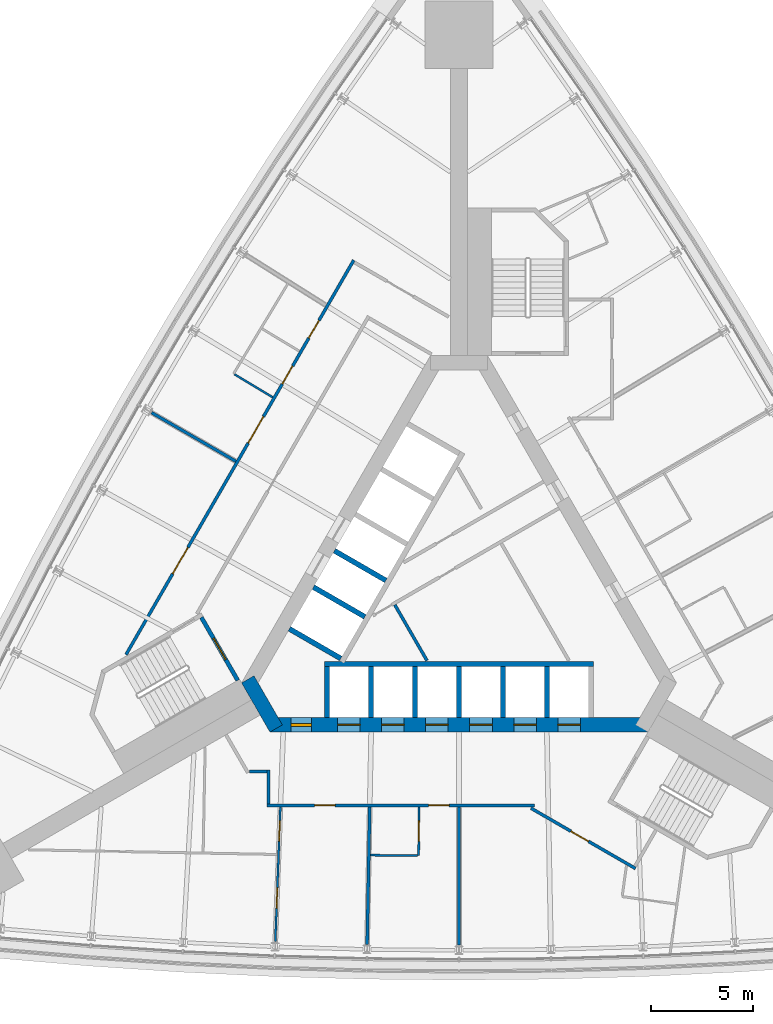
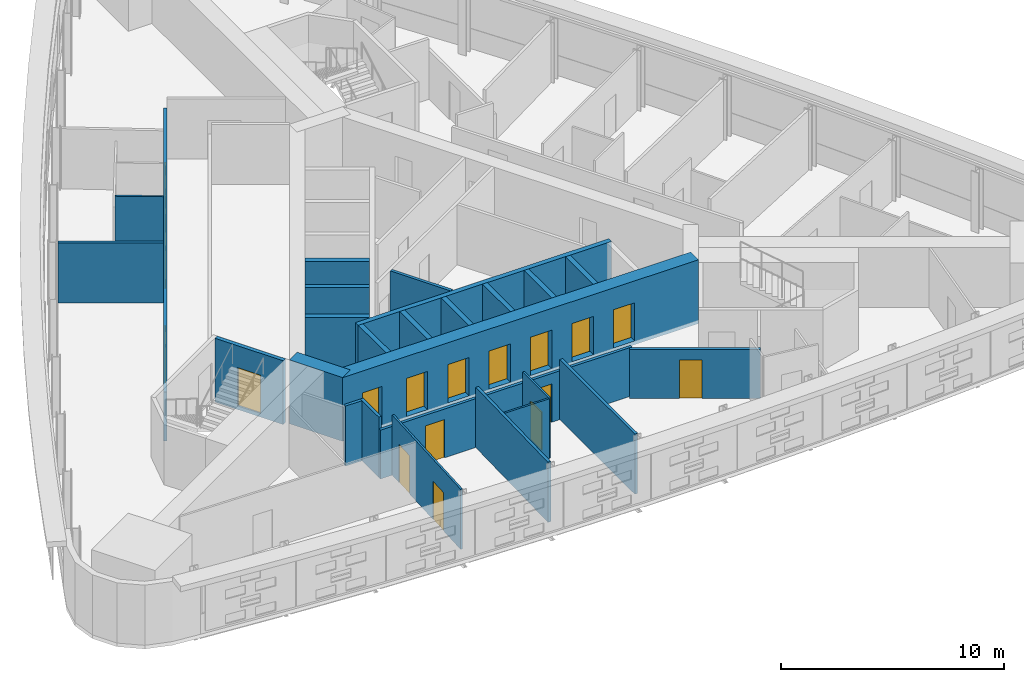
# One storey, part 10 of 15: 26 walls, 18 doors, 18 openings.
"""IFC4 building model written with IfcOpenShell, lengths in metres."""

from ifc_helpers import new_model, si_unit, direction, frame, frame_2d, origin, place, context, subcontext, project, spatial, rectangle, extrude, material, layer, layer_set, type_object, element, fill, save


model = new_model("IFC4")

# Units and contexts
model_context = context("Model", 3, precision=1e-05, world=origin(), true_north=direction((0.0, 1.0)))
body_context = subcontext(model_context, "Body", "Model", "MODEL_VIEW")
ifc_project = project(units=[si_unit("LENGTHUNIT", "METRE"), si_unit("AREAUNIT", "SQUARE_METRE"), si_unit("VOLUMEUNIT", "CUBIC_METRE"), si_unit("PLANEANGLEUNIT", "RADIAN"), si_unit("MASSUNIT", "GRAM", prefix="KILO")], contexts=[model_context])

# Site, building, storey
site_placement = place(None, origin())
site = spatial("IfcSite", under=ifc_project, at=site_placement, CompositionType="ELEMENT")
building_placement = place(site_placement, origin())
building = spatial("IfcBuilding", under=site, at=building_placement, Name="Noor Cloister Tower", CompositionType="ELEMENT")
storey_placement = place(building_placement, frame((0.0, 0.0, 49.199951171875)))
storey = spatial("IfcBuildingStorey", under=building, at=storey_placement, Name="L12", CompositionType="ELEMENT", Elevation=49.199951171875)

# Wall
ifc_material_1 = material(Name="Concrete C30/37", Category="concrete")
ifc_layer_1 = layer(ifc_material_1, 0.14990234375)
ifc_layer_set_1 = layer_set([ifc_layer_1], Name="Core partition 150 C30/37")
wall_type_1 = type_object("IfcWallType", Name="Core partition 150 C30/37", PredefinedType="PARTITIONING", material=ifc_layer_set_1)
wall_1_placement = place(storey_placement, frame((-1.561279296875, -3.439208984375, 0.0), z_axis=(0.0, 0.0, 1.0), x_axis=(-0.499989077369, 0.866031709877, 0.0)))
element("IfcWall", 1, at=wall_1_placement, inside=storey, type_object=wall_type_1, Name="Core room partition L12 3", PredefinedType="PARTITIONING", context=body_context, shape_type="SweptSolid", body=[
    extrude(rectangle(XDim=3.14404296875, YDim=0.14990234375, at=frame_2d((1.572021484375, 0.0))), origin(), (0.0, 0.0, 1.0), 3.300048828125),
])

# Wall, openings, doors
ifc_material_2 = material(Name="Concrete C80/95", Category="concrete")
ifc_layer_2 = layer(ifc_material_2, 0.699951171875)
ifc_layer_set_2 = layer_set([ifc_layer_2], Name="Core wall 700 C80/95")
wall_type_2 = type_object("IfcWallType", Name="Core wall 700 C80/95", PredefinedType="SHEAR", material=ifc_layer_set_2)
wall_2_placement = place(storey_placement, frame((-9.228759765625, -6.578125, -0.199951171875), z_axis=(0.0, 0.0, 1.0), x_axis=(1.0, 0.0, 0.0)))
wall_2 = element("IfcWall", 2, at=wall_2_placement, inside=storey, type_object=wall_type_2, Name="Core wall L12 1", PredefinedType="SHEAR", context=body_context, shape_type="SweptSolid", body=[
    extrude(rectangle(XDim=18.45751953125, YDim=0.699951171875, at=frame_2d((9.228759765625, 0.0))), origin(), (0.0, 0.0, 1.0), 3.5),
])
opening_1_placement = place(wall_2_placement, frame((3.3037109375, 0.0, 0.199951171875)))
opening_1 = element("IfcOpeningElement", 3, at=opening_1_placement, cuts=wall_2, Name="Opening L12-LR1", PredefinedType="OPENING", context=body_context, shape_type="SweptSolid", body=[
    extrude(rectangle(XDim=1.10009765625, YDim=2.10009765625, at=frame_2d((0.550048828125, 1.050048828125))), frame((0.0, 0.35986328125, 0.0), z_axis=(0.0, -1.0, 0.0), x_axis=(1.0, 0.0, 0.0)), (0.0, 0.0, 1.0), 0.719970703125),
])
opening_2_placement = place(wall_2_placement, frame((5.45361328125, 0.0, 0.199951171875)))
opening_2 = element("IfcOpeningElement", 4, at=opening_2_placement, cuts=wall_2, Name="Opening L12-LR2", PredefinedType="OPENING", context=body_context, shape_type="SweptSolid", body=[
    extrude(rectangle(XDim=1.10009765625, YDim=2.10009765625, at=frame_2d((0.550048828125, 1.050048828125))), frame((0.0, 0.35986328125, 0.0), z_axis=(0.0, -1.0, 0.0), x_axis=(1.0, 0.0, 0.0)), (0.0, 0.0, 1.0), 0.719970703125),
])
opening_3_placement = place(wall_2_placement, frame((7.603759765625, 0.0, 0.199951171875)))
opening_3 = element("IfcOpeningElement", 5, at=opening_3_placement, cuts=wall_2, Name="Opening L12-LR3", PredefinedType="OPENING", context=body_context, shape_type="SweptSolid", body=[
    extrude(rectangle(XDim=1.10009765625, YDim=2.10009765625, at=frame_2d((0.550048828125, 1.050048828125))), frame((0.0, 0.35986328125, 0.0), z_axis=(0.0, -1.0, 0.0), x_axis=(1.0, 0.0, 0.0)), (0.0, 0.0, 1.0), 0.719970703125),
])
opening_4_placement = place(wall_2_placement, frame((9.753662109375, 0.0, 0.199951171875)))
opening_4 = element("IfcOpeningElement", 6, at=opening_4_placement, cuts=wall_2, Name="Opening L12-LR4", PredefinedType="OPENING", context=body_context, shape_type="SweptSolid", body=[
    extrude(rectangle(XDim=1.10009765625, YDim=2.10009765625, at=frame_2d((0.550048828125, 1.050048828125))), frame((0.0, 0.35986328125, 0.0), z_axis=(0.0, -1.0, 0.0), x_axis=(1.0, 0.0, 0.0)), (0.0, 0.0, 1.0), 0.719970703125),
])
opening_5_placement = place(wall_2_placement, frame((11.90380859375, 0.0, 0.199951171875)))
opening_5 = element("IfcOpeningElement", 7, at=opening_5_placement, cuts=wall_2, Name="Opening L12-LR5", PredefinedType="OPENING", context=body_context, shape_type="SweptSolid", body=[
    extrude(rectangle(XDim=1.10009765625, YDim=2.10009765625, at=frame_2d((0.550048828125, 1.050048828125))), frame((0.0, 0.35986328125, 0.0), z_axis=(0.0, -1.0, 0.0), x_axis=(1.0, 0.0, 0.0)), (0.0, 0.0, 1.0), 0.719970703125),
])
opening_6_placement = place(wall_2_placement, frame((14.0537109375, 0.0, 0.199951171875)))
opening_6 = element("IfcOpeningElement", 8, at=opening_6_placement, cuts=wall_2, Name="Opening L12-LR6", PredefinedType="OPENING", context=body_context, shape_type="SweptSolid", body=[
    extrude(rectangle(XDim=1.10009765625, YDim=2.10009765625, at=frame_2d((0.550048828125, 1.050048828125))), frame((0.0, 0.35986328125, 0.0), z_axis=(0.0, -1.0, 0.0), x_axis=(1.0, 0.0, 0.0)), (0.0, 0.0, 1.0), 0.719970703125),
])
opening_7_placement = place(wall_2_placement, frame((1.02880859375, 0.0, 0.199951171875)))
opening_7 = element("IfcOpeningElement", 9, at=opening_7_placement, cuts=wall_2, Name="Opening L12-907", PredefinedType="OPENING", context=body_context, shape_type="SweptSolid", body=[
    extrude(rectangle(XDim=1.0, YDim=2.10009765625, at=frame_2d((0.5, 1.050048828125))), frame((0.0, 0.35986328125, 0.0), z_axis=(0.0, -1.0, 0.0), x_axis=(1.0, 0.0, 0.0)), (0.0, 0.0, 1.0), 0.719970703125),
])
ifc_material_3 = material(Name="Steel", Category="steel")
door_type_1 = type_object("IfcDoorType", Name="Core door 1000 x 2100 FD60", OperationType="SINGLE_SWING_LEFT", PredefinedType="DOOR", material=ifc_material_3)
door_1_placement = place(opening_7_placement, origin())
door_1 = element("IfcDoor", 10, at=door_1_placement, inside=storey, type_object=door_type_1, Name="Core door 7 L12", OperationType="SINGLE_SWING_LEFT", OverallHeight=2.10009765625, OverallWidth=1.0, PredefinedType="DOOR", context=body_context, shape_type="SweptSolid", body=[
    extrude(rectangle(XDim=1.0, YDim=2.10009765625, at=frame_2d((0.5, 1.050048828125))), frame((0.0, 0.074951171875, 0.0), z_axis=(0.0, -1.0, 0.0), x_axis=(1.0, 0.0, 0.0)), (0.0, 0.0, 1.0), 0.14990234375),
])
fill(opening_7, door_1)
ifc_material_4 = material(Name="Stainless steel", Category="steel")
door_type_2 = type_object("IfcDoorType", Name="Lift landing door 1100 x 2100", OperationType="DOUBLE_DOOR_SLIDING", PredefinedType="DOOR", material=ifc_material_4)
door_2_placement = place(opening_1_placement, origin())
door_2 = element("IfcDoor", 11, at=door_2_placement, inside=storey, type_object=door_type_2, Name="Landing door LR1 L12", OperationType="DOUBLE_DOOR_SLIDING", OverallHeight=2.10009765625, OverallWidth=1.10009765625, PredefinedType="DOOR", context=body_context, shape_type="SweptSolid", body=[
    extrude(rectangle(XDim=1.10009765625, YDim=2.10009765625, at=frame_2d((0.550048828125, 1.050048828125))), frame((0.0, 0.02490234375, 0.0), z_axis=(0.0, -1.0, 0.0), x_axis=(1.0, 0.0, 0.0)), (0.0, 0.0, 1.0), 0.050048828125),
])
fill(opening_1, door_2)
door_3_placement = place(opening_2_placement, origin())
door_3 = element("IfcDoor", 12, at=door_3_placement, inside=storey, type_object=door_type_2, Name="Landing door LR2 L12", OperationType="DOUBLE_DOOR_SLIDING", OverallHeight=2.10009765625, OverallWidth=1.10009765625, PredefinedType="DOOR", context=body_context, shape_type="SweptSolid", body=[
    extrude(rectangle(XDim=1.10009765625, YDim=2.10009765625, at=frame_2d((0.550048828125, 1.050048828125))), frame((0.0, 0.02490234375, 0.0), z_axis=(0.0, -1.0, 0.0), x_axis=(1.0, 0.0, 0.0)), (0.0, 0.0, 1.0), 0.050048828125),
])
fill(opening_2, door_3)
door_4_placement = place(opening_3_placement, origin())
door_4 = element("IfcDoor", 13, at=door_4_placement, inside=storey, type_object=door_type_2, Name="Landing door LR3 L12", OperationType="DOUBLE_DOOR_SLIDING", OverallHeight=2.10009765625, OverallWidth=1.10009765625, PredefinedType="DOOR", context=body_context, shape_type="SweptSolid", body=[
    extrude(rectangle(XDim=1.10009765625, YDim=2.10009765625, at=frame_2d((0.550048828125, 1.050048828125))), frame((0.0, 0.02490234375, 0.0), z_axis=(0.0, -1.0, 0.0), x_axis=(1.0, 0.0, 0.0)), (0.0, 0.0, 1.0), 0.050048828125),
])
fill(opening_3, door_4)
door_5_placement = place(opening_4_placement, origin())
door_5 = element("IfcDoor", 14, at=door_5_placement, inside=storey, type_object=door_type_2, Name="Landing door LR4 L12", OperationType="DOUBLE_DOOR_SLIDING", OverallHeight=2.10009765625, OverallWidth=1.10009765625, PredefinedType="DOOR", context=body_context, shape_type="SweptSolid", body=[
    extrude(rectangle(XDim=1.10009765625, YDim=2.10009765625, at=frame_2d((0.550048828125, 1.050048828125))), frame((0.0, 0.02490234375, 0.0), z_axis=(0.0, -1.0, 0.0), x_axis=(1.0, 0.0, 0.0)), (0.0, 0.0, 1.0), 0.050048828125),
])
fill(opening_4, door_5)
door_6_placement = place(opening_5_placement, origin())
door_6 = element("IfcDoor", 15, at=door_6_placement, inside=storey, type_object=door_type_2, Name="Landing door LR5 L12", OperationType="DOUBLE_DOOR_SLIDING", OverallHeight=2.10009765625, OverallWidth=1.10009765625, PredefinedType="DOOR", context=body_context, shape_type="SweptSolid", body=[
    extrude(rectangle(XDim=1.10009765625, YDim=2.10009765625, at=frame_2d((0.550048828125, 1.050048828125))), frame((0.0, 0.02490234375, 0.0), z_axis=(0.0, -1.0, 0.0), x_axis=(1.0, 0.0, 0.0)), (0.0, 0.0, 1.0), 0.050048828125),
])
fill(opening_5, door_6)
door_7_placement = place(opening_6_placement, origin())
door_7 = element("IfcDoor", 16, at=door_7_placement, inside=storey, type_object=door_type_2, Name="Landing door LR6 L12", OperationType="DOUBLE_DOOR_SLIDING", OverallHeight=2.10009765625, OverallWidth=1.10009765625, PredefinedType="DOOR", context=body_context, shape_type="SweptSolid", body=[
    extrude(rectangle(XDim=1.10009765625, YDim=2.10009765625, at=frame_2d((0.550048828125, 1.050048828125))), frame((0.0, 0.02490234375, 0.0), z_axis=(0.0, -1.0, 0.0), x_axis=(1.0, 0.0, 0.0)), (0.0, 0.0, 1.0), 0.050048828125),
])
fill(opening_6, door_7)

# Wall
wall_3_placement = place(storey_placement, frame((-10.311279296875, -4.353271484375, -0.199951171875), z_axis=(0.0, 0.0, 1.0), x_axis=(0.500042739161, -0.866000726912, 0.0)))
element("IfcWall", 17, at=wall_3_placement, inside=storey, type_object=wall_type_2, Name="Core wall L12 6", PredefinedType="SHEAR", context=body_context, shape_type="SweptSolid", body=[
    extrude(rectangle(XDim=2.771240234375, YDim=0.699951171875, at=frame_2d((1.3857421875, 0.0))), origin(), (0.0, 0.0, 1.0), 3.5),
])

# Wall, openings, doors
ifc_material_5 = material(Name="Gypsum board partition on steel studs, 150 mm", Category="steel")
ifc_layer_3 = layer(ifc_material_5, 0.14990234375)
ifc_layer_set_3 = layer_set([ifc_layer_3], Name="Flat wall 150")
wall_type_3 = type_object("IfcWallType", Name="Flat wall 150", PredefinedType="PARTITIONING", material=ifc_layer_set_3)
wall_4_placement = place(storey_placement, frame((-16.255615234375, -3.149169921875, 0.0), z_axis=(0.0, 0.0, 1.0), x_axis=(0.499999683919, 0.866025586274, 0.0)))
wall_4 = element("IfcWall", 18, at=wall_4_placement, inside=storey, type_object=wall_type_3, Name="Flat wall 150 L12 001", PredefinedType="PARTITIONING", context=body_context, shape_type="SweptSolid", body=[
    extrude(rectangle(XDim=22.23388671875, YDim=0.14990234375, at=frame_2d((11.116943359375, 0.0))), origin(), (0.0, 0.0, 1.0), 2.677978515625),
])
opening_8_placement = place(wall_4_placement, frame((17.84228515625, 0.0, 0.0)))
opening_8 = element("IfcOpeningElement", 19, at=opening_8_placement, cuts=wall_4, Name="Opening L12-001", PredefinedType="OPENING", context=body_context, shape_type="SweptSolid", body=[
    extrude(rectangle(XDim=1.0, YDim=2.10009765625, at=frame_2d((0.5, 1.050048828125))), frame((0.0, 0.0849609375, 0.0), z_axis=(0.0, -1.0, 0.0), x_axis=(1.0, 0.0, 0.0)), (0.0, 0.0, 1.0), 0.169921875),
])
opening_9_placement = place(wall_4_placement, frame((15.260009765625, 0.0, 0.0)))
opening_9 = element("IfcOpeningElement", 20, at=opening_9_placement, cuts=wall_4, Name="Opening L12-002", PredefinedType="OPENING", context=body_context, shape_type="SweptSolid", body=[
    extrude(rectangle(XDim=1.0, YDim=2.10009765625, at=frame_2d((0.5, 1.050048828125))), frame((0.0, 0.0849609375, 0.0), z_axis=(0.0, -1.0, 0.0), x_axis=(1.0, 0.0, 0.0)), (0.0, 0.0, 1.0), 0.169921875),
])
opening_10_placement = place(wall_4_placement, frame((11.919921875, 0.0, 0.0)))
opening_10 = element("IfcOpeningElement", 21, at=opening_10_placement, cuts=wall_4, Name="Opening L12-003", PredefinedType="OPENING", context=body_context, shape_type="SweptSolid", body=[
    extrude(rectangle(XDim=1.5, YDim=2.10009765625, at=frame_2d((0.75, 1.050048828125))), frame((0.0, 0.0849609375, 0.0), z_axis=(0.0, -1.0, 0.0), x_axis=(1.0, 0.0, 0.0)), (0.0, 0.0, 1.0), 0.169921875),
])
opening_11_placement = place(wall_4_placement, frame((4.546875, 0.0, 0.0)))
opening_11 = element("IfcOpeningElement", 22, at=opening_11_placement, cuts=wall_4, Name="Opening L12-004", PredefinedType="OPENING", context=body_context, shape_type="SweptSolid", body=[
    extrude(rectangle(XDim=1.5, YDim=2.10009765625, at=frame_2d((0.75, 1.050048828125))), frame((0.0, 0.0849609375, 0.0), z_axis=(0.0, -1.0, 0.0), x_axis=(1.0, 0.0, 0.0)), (0.0, 0.0, 1.0), 0.169921875),
])
ifc_material_6 = material(Name="Timber door leaf with steel frame", Category="steel")
door_type_3 = type_object("IfcDoorType", Name="Accessible WC door 1000", OperationType="NOTDEFINED", PredefinedType="DOOR", material=ifc_material_6)
door_8_placement = place(opening_8_placement, origin())
door_8 = element("IfcDoor", 23, at=door_8_placement, inside=storey, type_object=door_type_3, Name="Accessible WC door 1000 L12-001", OperationType="SINGLE_SWING_RIGHT", OverallHeight=2.10009765625, OverallWidth=1.0, PredefinedType="DOOR", context=body_context, shape_type="SweptSolid", body=[
    extrude(rectangle(XDim=1.0, YDim=2.10009765625, at=frame_2d((0.5, 1.050048828125))), frame((0.0, 0.02490234375, 0.0), z_axis=(0.0, -1.0, 0.0), x_axis=(1.0, 0.0, 0.0)), (0.0, 0.0, 1.0), 0.050048828125),
])
fill(opening_8, door_8)
ifc_material_7 = material(Name="Timber door leaf with steel frame", Category="steel")
door_type_4 = type_object("IfcDoorType", Name="Double door 1500 FD60", OperationType="NOTDEFINED", PredefinedType="DOOR", material=ifc_material_7)
door_9_placement = place(opening_10_placement, origin())
door_9 = element("IfcDoor", 24, at=door_9_placement, inside=storey, type_object=door_type_4, Name="Double door 1500 L12-003", OperationType="DOUBLE_DOOR_SINGLE_SWING", OverallHeight=2.10009765625, OverallWidth=1.5, PredefinedType="DOOR", context=body_context, shape_type="SweptSolid", body=[
    extrude(rectangle(XDim=1.5, YDim=2.10009765625, at=frame_2d((0.75, 1.050048828125))), frame((0.0, 0.02490234375, 0.0), z_axis=(0.0, -1.0, 0.0), x_axis=(1.0, 0.0, 0.0)), (0.0, 0.0, 1.0), 0.050048828125),
])
fill(opening_10, door_9)
door_10_placement = place(opening_11_placement, origin())
door_10 = element("IfcDoor", 25, at=door_10_placement, inside=storey, type_object=door_type_4, Name="Double door 1500 L12-004", OperationType="DOUBLE_DOOR_SINGLE_SWING", OverallHeight=2.10009765625, OverallWidth=1.5, PredefinedType="DOOR", context=body_context, shape_type="SweptSolid", body=[
    extrude(rectangle(XDim=1.5, YDim=2.10009765625, at=frame_2d((0.75, 1.050048828125))), frame((0.0, 0.02490234375, 0.0), z_axis=(0.0, -1.0, 0.0), x_axis=(1.0, 0.0, 0.0)), (0.0, 0.0, 1.0), 0.050048828125),
])
fill(opening_11, door_10)
ifc_material_8 = material(Name="Timber door leaf with steel frame", Category="steel")
door_type_5 = type_object("IfcDoorType", Name="Interior door 1000 FD60", OperationType="NOTDEFINED", PredefinedType="DOOR", material=ifc_material_8)
door_11_placement = place(opening_9_placement, origin())
door_11 = element("IfcDoor", 26, at=door_11_placement, inside=storey, type_object=door_type_5, Name="Interior door 1000 L12-002", OperationType="SINGLE_SWING_RIGHT", OverallHeight=2.10009765625, OverallWidth=1.0, PredefinedType="DOOR", context=body_context, shape_type="SweptSolid", body=[
    extrude(rectangle(XDim=1.0, YDim=2.10009765625, at=frame_2d((0.5, 1.050048828125))), frame((0.0, 0.02490234375, 0.0), z_axis=(0.0, -1.0, 0.0), x_axis=(1.0, 0.0, 0.0)), (0.0, 0.0, 1.0), 0.050048828125),
])
fill(opening_9, door_11)

wall_5_placement = place(storey_placement, frame((3.68896484375, -10.503173828125, 0.0), z_axis=(0.0, 0.0, 1.0), x_axis=(-1.0, 0.0, 0.0)))
wall_5 = element("IfcWall", 27, at=wall_5_placement, inside=storey, type_object=wall_type_3, Name="Flat wall 150 L12 004", PredefinedType="PARTITIONING", context=body_context, shape_type="SweptSolid", body=[
    extrude(rectangle(XDim=13.067626953125, YDim=0.14990234375, at=frame_2d((6.53369140625, 0.0))), origin(), (0.0, 0.0, 1.0), 2.677978515625),
])
opening_12_placement = place(wall_5_placement, frame((9.739501953125, 0.0, 0.0)))
opening_12 = element("IfcOpeningElement", 28, at=opening_12_placement, cuts=wall_5, Name="Opening L12-008", PredefinedType="OPENING", context=body_context, shape_type="SweptSolid", body=[
    extrude(rectangle(XDim=1.0, YDim=2.10009765625, at=frame_2d((0.5, 1.050048828125))), frame((0.0, 0.0849609375, 0.0), z_axis=(0.0, -1.0, 0.0), x_axis=(1.0, 0.0, 0.0)), (0.0, 0.0, 1.0), 0.169921875),
])
opening_13_placement = place(wall_5_placement, frame((4.174560546875, 0.0, 0.0)))
opening_13 = element("IfcOpeningElement", 29, at=opening_13_placement, cuts=wall_5, Name="Opening L12-009", PredefinedType="OPENING", context=body_context, shape_type="SweptSolid", body=[
    extrude(rectangle(XDim=1.0, YDim=2.10009765625, at=frame_2d((0.5, 1.050048828125))), frame((0.0, 0.0849609375, 0.0), z_axis=(0.0, -1.0, 0.0), x_axis=(1.0, 0.0, 0.0)), (0.0, 0.0, 1.0), 0.169921875),
])
ifc_material_9 = material(Name="Timber door leaf with steel frame", Category="steel")
door_type_6 = type_object("IfcDoorType", Name="Assisted living door 1000", OperationType="NOTDEFINED", PredefinedType="DOOR", material=ifc_material_9)
door_12_placement = place(opening_13_placement, origin())
door_12 = element("IfcDoor", 30, at=door_12_placement, inside=storey, type_object=door_type_6, Name="Assisted living door 1000 L12-009", OperationType="SINGLE_SWING_LEFT", OverallHeight=2.10009765625, OverallWidth=1.0, PredefinedType="DOOR", context=body_context, shape_type="SweptSolid", body=[
    extrude(rectangle(XDim=1.0, YDim=2.10009765625, at=frame_2d((0.5, 1.050048828125))), frame((0.0, 0.02490234375, 0.0), z_axis=(0.0, -1.0, 0.0), x_axis=(1.0, 0.0, 0.0)), (0.0, 0.0, 1.0), 0.050048828125),
])
fill(opening_13, door_12)
ifc_material_10 = material(Name="Timber door leaf with steel frame", Category="steel")
door_type_7 = type_object("IfcDoorType", Name="Flat entrance door 1000 FD60S", OperationType="NOTDEFINED", PredefinedType="DOOR", material=ifc_material_10)
door_13_placement = place(opening_12_placement, origin())
door_13 = element("IfcDoor", 31, at=door_13_placement, inside=storey, type_object=door_type_7, Name="Flat entrance door 1000 L12-008", OperationType="SINGLE_SWING_RIGHT", OverallHeight=2.10009765625, OverallWidth=1.0, PredefinedType="DOOR", context=body_context, shape_type="SweptSolid", body=[
    extrude(rectangle(XDim=1.0, YDim=2.10009765625, at=frame_2d((0.5, 1.050048828125))), frame((0.0, 0.02490234375, 0.0), z_axis=(0.0, -1.0, 0.0), x_axis=(1.0, 0.0, 0.0)), (0.0, 0.0, 1.0), 0.050048828125),
])
fill(opening_12, door_13)

# Wall, opening, door
wall_6_placement = place(storey_placement, frame((8.6162109375, -13.58935546875, 0.0), z_axis=(0.0, 0.0, 1.0), x_axis=(-0.866039313704, 0.499975906538, 0.0)))
wall_6 = element("IfcWall", 32, at=wall_6_placement, inside=storey, type_object=wall_type_3, Name="Flat wall 150 L12 006", PredefinedType="PARTITIONING", context=body_context, shape_type="SweptSolid", body=[
    extrude(rectangle(XDim=5.892333984375, YDim=0.14990234375, at=frame_2d((2.9462890625, 0.0))), origin(), (0.0, 0.0, 1.0), 2.677978515625),
])
opening_14_placement = place(wall_6_placement, frame((2.648681640625, 0.0, 0.0)))
opening_14 = element("IfcOpeningElement", 33, at=opening_14_placement, cuts=wall_6, Name="Opening L12-011", PredefinedType="OPENING", context=body_context, shape_type="SweptSolid", body=[
    extrude(rectangle(XDim=1.0, YDim=2.10009765625, at=frame_2d((0.5, 1.050048828125))), frame((0.0, 0.0849609375, 0.0), z_axis=(0.0, -1.0, 0.0), x_axis=(1.0, 0.0, 0.0)), (0.0, 0.0, 1.0), 0.169921875),
])
door_14_placement = place(opening_14_placement, origin())
door_14 = element("IfcDoor", 34, at=door_14_placement, inside=storey, type_object=door_type_7, Name="Flat entrance door 1000 L12-011", OperationType="SINGLE_SWING_RIGHT", OverallHeight=2.10009765625, OverallWidth=1.0, PredefinedType="DOOR", context=body_context, shape_type="SweptSolid", body=[
    extrude(rectangle(XDim=1.0, YDim=2.10009765625, at=frame_2d((0.5, 1.050048828125))), frame((0.0, 0.02490234375, 0.0), z_axis=(0.0, -1.0, 0.0), x_axis=(1.0, 0.0, 0.0)), (0.0, 0.0, 1.0), 0.050048828125),
])
fill(opening_14, door_14)

# Walls
wall_7_placement = place(storey_placement, frame((-9.3037109375, -10.42822265625, 0.0), z_axis=(0.0, 0.0, 1.0), x_axis=(0.0, 1.0, 0.0)))
element("IfcWall", 35, at=wall_7_placement, inside=storey, type_object=wall_type_3, Name="Flat wall 150 L12 014", PredefinedType="PARTITIONING", context=body_context, shape_type="SweptSolid", body=[
    extrude(rectangle(XDim=1.64990234375, YDim=0.14990234375, at=frame_2d((0.824951171875, 0.0))), origin(), (0.0, 0.0, 1.0), 3.300048828125),
])
wall_8_placement = place(storey_placement, frame((-10.23779296875, -8.853271484375, 0.0), z_axis=(0.0, 0.0, 1.0), x_axis=(1.0, 0.0, 0.0)))
element("IfcWall", 36, at=wall_8_placement, inside=storey, type_object=wall_type_3, Name="Flat wall 150 L12 015", PredefinedType="PARTITIONING", context=body_context, shape_type="SweptSolid", body=[
    extrude(rectangle(XDim=0.859130859375, YDim=0.14990234375, at=frame_2d((0.4296875, 0.0))), origin(), (0.0, 0.0, 1.0), 3.300048828125),
])
wall_9_placement = place(storey_placement, frame((0.0, -17.3310546875, 0.0), z_axis=(0.0, 0.0, 1.0), x_axis=(0.0, 1.0, 0.0)))
element("IfcWall", 37, at=wall_9_placement, inside=storey, type_object=wall_type_3, Name="Flat wall 150 L12 018", PredefinedType="PARTITIONING", context=body_context, shape_type="SweptSolid", body=[
    extrude(rectangle(XDim=6.7529296875, YDim=0.14990234375, at=frame_2d((3.37646484375, 0.0))), origin(), (0.0, 0.0, 1.0), 3.300048828125),
])
wall_10_placement = place(storey_placement, frame((-4.484619140625, -17.288818359375, 0.0), z_axis=(0.0, 0.0, 1.0), x_axis=(0.018918777789, 0.999821023907, 0.0)))
element("IfcWall", 38, at=wall_10_placement, inside=storey, type_object=wall_type_3, Name="Flat wall 150 L12 019", PredefinedType="PARTITIONING", context=body_context, shape_type="SweptSolid", body=[
    extrude(rectangle(XDim=6.71044921875, YDim=0.14990234375, at=frame_2d((3.355224609375, 0.0))), origin(), (0.0, 0.0, 1.0), 3.300048828125),
])
wall_11_placement = place(storey_placement, frame((-15.00927734375, 8.66552734375, 0.0), z_axis=(0.0, 0.0, 1.0), x_axis=(0.866028196007, -0.499995163697, 0.0)))
element("IfcWall", 39, at=wall_11_placement, inside=storey, type_object=wall_type_3, Name="Flat wall 150 L12 021", PredefinedType="PARTITIONING", context=body_context, shape_type="SweptSolid", body=[
    extrude(rectangle(XDim=4.7529296875, YDim=0.14990234375, at=frame_2d((2.37646484375, 0.0))), origin(), (0.0, 0.0, 1.0), 3.300048828125),
])

# Wall, openings, doors
ifc_material_11 = material(Name="Gypsum board partition on steel studs, 100 mm", Category="steel")
ifc_layer_4 = layer(ifc_material_11, 0.10009765625)
ifc_layer_set_4 = layer_set([ifc_layer_4], Name="Partition 100")
wall_type_4 = type_object("IfcWallType", Name="Partition 100", PredefinedType="PARTITIONING", material=ifc_layer_set_4)
wall_12_placement = place(storey_placement, frame((-8.967529296875, -17.16162109375, 0.0), z_axis=(0.0, 0.0, 1.0), x_axis=(0.037809580141, 0.999284962185, 0.0)))
wall_12 = element("IfcWall", 40, at=wall_12_placement, inside=storey, type_object=wall_type_4, Name="Partition 100 L12 027", PredefinedType="PARTITIONING", context=body_context, shape_type="SweptSolid", body=[
    extrude(rectangle(XDim=6.586181640625, YDim=0.10009765625, at=frame_2d((3.29296875, 0.0))), origin(), (0.0, 0.0, 1.0), 3.300048828125),
])
opening_15_placement = place(wall_12_placement, frame((4.9169921875, 0.0, 0.0)))
opening_15 = element("IfcOpeningElement", 41, at=opening_15_placement, cuts=wall_12, Name="Opening L12-020", PredefinedType="OPENING", context=body_context, shape_type="SweptSolid", body=[
    extrude(rectangle(XDim=1.0, YDim=2.10009765625, at=frame_2d((0.5, 1.050048828125))), frame((0.0, 0.06005859375, 0.0), z_axis=(0.0, -1.0, 0.0), x_axis=(1.0, 0.0, 0.0)), (0.0, 0.0, 1.0), 0.1201171875),
])
opening_16_placement = place(wall_12_placement, frame((1.63525390625, 0.0, 0.0)))
opening_16 = element("IfcOpeningElement", 42, at=opening_16_placement, cuts=wall_12, Name="Opening L12-021", PredefinedType="OPENING", context=body_context, shape_type="SweptSolid", body=[
    extrude(rectangle(XDim=1.0, YDim=2.10009765625, at=frame_2d((0.5, 1.050048828125))), frame((0.0, 0.06005859375, 0.0), z_axis=(0.0, -1.0, 0.0), x_axis=(1.0, 0.0, 0.0)), (0.0, 0.0, 1.0), 0.1201171875),
])
ifc_material_12 = material(Name="Timber door leaf with steel frame", Category="steel")
door_type_8 = type_object("IfcDoorType", Name="Interior door 1000", OperationType="NOTDEFINED", PredefinedType="DOOR", material=ifc_material_12)
door_15_placement = place(opening_15_placement, origin())
door_15 = element("IfcDoor", 43, at=door_15_placement, inside=storey, type_object=door_type_8, Name="Interior door 1000 L12-020", OperationType="SINGLE_SWING_RIGHT", OverallHeight=2.10009765625, OverallWidth=1.0, PredefinedType="DOOR", context=body_context, shape_type="SweptSolid", body=[
    extrude(rectangle(XDim=1.0, YDim=2.10009765625, at=frame_2d((0.5, 1.050048828125))), frame((0.0, 0.02490234375, 0.0), z_axis=(0.0, -1.0, 0.0), x_axis=(1.0, 0.0, 0.0)), (0.0, 0.0, 1.0), 0.050048828125),
])
fill(opening_15, door_15)
door_16_placement = place(opening_16_placement, origin())
door_16 = element("IfcDoor", 44, at=door_16_placement, inside=storey, type_object=door_type_8, Name="Interior door 1000 L12-021", OperationType="SINGLE_SWING_LEFT", OverallHeight=2.10009765625, OverallWidth=1.0, PredefinedType="DOOR", context=body_context, shape_type="SweptSolid", body=[
    extrude(rectangle(XDim=1.0, YDim=2.10009765625, at=frame_2d((0.5, 1.050048828125))), frame((0.0, 0.02490234375, 0.0), z_axis=(0.0, -1.0, 0.0), x_axis=(1.0, 0.0, 0.0)), (0.0, 0.0, 1.0), 0.050048828125),
])
fill(opening_16, door_16)

# Wall, opening, door
wall_13_placement = place(storey_placement, frame((-1.968505859375, -12.96044921875, 0.0), z_axis=(0.0, 0.0, 1.0), x_axis=(0.009429675035, 0.999955539626, 0.0)))
wall_13 = element("IfcWall", 45, at=wall_13_placement, inside=storey, type_object=wall_type_4, Name="Partition 100 L12 037", PredefinedType="PARTITIONING", context=body_context, shape_type="SweptSolid", body=[
    extrude(rectangle(XDim=2.3818359375, YDim=0.10009765625, at=frame_2d((1.19091796875, 0.0))), origin(), (0.0, 0.0, 1.0), 3.300048828125),
])
opening_17_placement = place(wall_13_placement, frame((0.699951171875, 0.0, 0.0)))
opening_17 = element("IfcOpeningElement", 46, at=opening_17_placement, cuts=wall_13, Name="Opening L12-027", PredefinedType="OPENING", context=body_context, shape_type="SweptSolid", body=[
    extrude(rectangle(XDim=1.0, YDim=2.10009765625, at=frame_2d((0.5, 1.050048828125))), frame((0.0, 0.06005859375, 0.0), z_axis=(0.0, -1.0, 0.0), x_axis=(1.0, 0.0, 0.0)), (0.0, 0.0, 1.0), 0.1201171875),
])
door_17_placement = place(opening_17_placement, origin())
door_17 = element("IfcDoor", 47, at=door_17_placement, inside=storey, type_object=door_type_8, Name="Interior door 1000 L12-027", OperationType="SINGLE_SWING_RIGHT", OverallHeight=2.10009765625, OverallWidth=1.0, PredefinedType="DOOR", context=body_context, shape_type="SweptSolid", body=[
    extrude(rectangle(XDim=1.0, YDim=2.10009765625, at=frame_2d((0.5, 1.050048828125))), frame((0.0, 0.02490234375, 0.0), z_axis=(0.0, -1.0, 0.0), x_axis=(1.0, 0.0, 0.0)), (0.0, 0.0, 1.0), 0.050048828125),
])
fill(opening_17, door_17)

# Walls
wall_14_placement = place(storey_placement, frame((-4.326904296875, -12.93798828125, 0.0), z_axis=(0.0, 0.0, 1.0), x_axis=(0.999954699557, -0.009518341931, 0.0)))
element("IfcWall", 48, at=wall_14_placement, inside=storey, type_object=wall_type_4, Name="Partition 100 L12 039", PredefinedType="PARTITIONING", context=body_context, shape_type="SweptSolid", body=[
    extrude(rectangle(XDim=2.308349609375, YDim=0.10009765625, at=frame_2d((1.154296875, 0.0))), origin(), (0.0, 0.0, 1.0), 3.300048828125),
])
wall_15_placement = place(storey_placement, frame((-10.960205078125, 10.538330078125, 0.0), z_axis=(0.0, 0.0, 1.0), x_axis=(0.856405167788, -0.516304356544, 0.0)))
element("IfcWall", 49, at=wall_15_placement, inside=storey, type_object=wall_type_4, Name="Partition 100 L12 042", PredefinedType="PARTITIONING", context=body_context, shape_type="SweptSolid", body=[
    extrude(rectangle(XDim=2.182373046875, YDim=0.10009765625, at=frame_2d((1.09130859375, 0.0))), origin(), (0.0, 0.0, 1.0), 3.300048828125),
])
ifc_material_13 = material(Name="Concrete C80/95", Category="concrete")
ifc_layer_5 = layer(ifc_material_13, 0.25)
ifc_layer_set_5 = layer_set([ifc_layer_5], Name="Shaft wall 250 C80/95")
wall_type_5 = type_object("IfcWallType", Name="Shaft wall 250 C80/95", PredefinedType="PARTITIONING", material=ifc_layer_set_5)
for number, where, z_axis, x_axis, name in (
    (50, (-6.449951171875, -6.228271484375, -0.199951171875), (0.0, 0.0, 1.0), (0.0, 1.0, 0.0), "Lift shaft wall L12 S 1"),
    (51, (-4.300048828125, -6.228271484375, -0.199951171875), (0.0, 0.0, 1.0), (0.0, 1.0, 0.0), "Lift shaft wall L12 S 2"),
    (52, (-2.14990234375, -6.228271484375, -0.199951171875), (0.0, 0.0, 1.0), (0.0, 1.0, 0.0), "Lift shaft wall L12 S 3"),
    (53, (0.0, -6.228271484375, -0.199951171875), (0.0, 0.0, 1.0), (0.0, 1.0, 0.0), "Lift shaft wall L12 S 4"),
    (54, (2.14990234375, -6.228271484375, -0.199951171875), (0.0, 0.0, 1.0), (0.0, 1.0, 0.0), "Lift shaft wall L12 S 5"),
    (55, (4.300048828125, -6.228271484375, -0.199951171875), (0.0, 0.0, 1.0), (0.0, 1.0, 0.0), "Lift shaft wall L12 S 6"),
):
    element("IfcWall", number, at=place(storey_placement, frame(where, z_axis=z_axis, x_axis=x_axis)), inside=storey, type_object=wall_type_5, Name=name, PredefinedType="PARTITIONING", context=body_context, shape_type="SweptSolid", body=[
        extrude(rectangle(XDim=2.5, YDim=0.25, at=frame_2d((1.25, 0.0))), origin(), (0.0, 0.0, 1.0), 3.5),
    ])
wall_16_placement = place(storey_placement, frame((-6.574951171875, -3.603271484375, 0.0), z_axis=(0.0, 0.0, 1.0), x_axis=(1.0, 0.0, 0.0)))
element("IfcWall", 56, at=wall_16_placement, inside=storey, type_object=wall_type_5, Name="Lift shaft back wall L12 S", PredefinedType="PARTITIONING", context=body_context, shape_type="SweptSolid", body=[
    extrude(rectangle(XDim=13.14990234375, YDim=0.25, at=frame_2d((6.574951171875, 0.0))), origin(), (0.0, 0.0, 1.0), 3.300048828125),
])
for number, where, z_axis, x_axis, name in (
    (57, (-6.081298828125, 1.92333984375, -0.199951171875), (0.0, 0.0, 1.0), (0.866032775405, -0.499987231761, 0.0), "Lift shaft wall L12 NW 4"),
    (58, (-7.106201171875, 0.14794921875, -0.199951171875), (0.0, 0.0, 1.0), (0.866032775405, -0.499987231761, 0.0), "Lift shaft wall L12 NW 5"),
    (59, (-8.28125, -1.88720703125, -0.199951171875), (0.0, 0.0, 1.0), (0.866032775405, -0.499987231761, 0.0), "Lift shaft wall L12 NW 6"),
):
    element("IfcWall", number, at=place(storey_placement, frame(where, z_axis=z_axis, x_axis=x_axis)), inside=storey, type_object=wall_type_5, Name=name, PredefinedType="PARTITIONING", context=body_context, shape_type="SweptSolid", body=[
        extrude(rectangle(XDim=2.89990234375, YDim=0.25, at=frame_2d((1.449951171875, 0.0))), origin(), (0.0, 0.0, 1.0), 3.5),
    ])

# Wall, opening, door
ifc_material_14 = material(Name="Concrete C80/95", Category="concrete")
ifc_layer_6 = layer(ifc_material_14, 0.199951171875)
ifc_layer_set_6 = layer_set([ifc_layer_6], Name="Stair enclosure wall 200 C80/95")
wall_type_6 = type_object("IfcWallType", Name="Stair enclosure wall 200 C80/95", PredefinedType="SHEAR", material=ifc_layer_set_6)
wall_17_placement = place(storey_placement, frame((-12.575927734375, -1.33056640625, -0.199951171875), z_axis=(0.0, 0.0, 1.0), x_axis=(0.499970499736, -0.8660424351, 0.0)))
wall_17 = element("IfcWall", 60, at=wall_17_placement, inside=storey, type_object=wall_type_6, Name="Stair enclosure wall ST2 L12 near end", PredefinedType="SHEAR", context=body_context, shape_type="SweptSolid", body=[
    extrude(rectangle(XDim=3.550048828125, YDim=0.199951171875, at=frame_2d((1.77490234375, 0.0))), origin(), (0.0, 0.0, 1.0), 3.5),
])
opening_18_placement = place(wall_17_placement, frame((1.175048828125, 0.0, 0.199951171875)))
opening_18 = element("IfcOpeningElement", 61, at=opening_18_placement, cuts=wall_17, Name="Opening L12-ST2L", PredefinedType="OPENING", context=body_context, shape_type="SweptSolid", body=[
    extrude(rectangle(XDim=1.199951171875, YDim=2.10009765625, at=frame_2d((0.60009765625, 1.050048828125))), frame((0.0, 0.10986328125, 0.0), z_axis=(0.0, -1.0, 0.0), x_axis=(1.0, 0.0, 0.0)), (0.0, 0.0, 1.0), 0.219970703125),
])
ifc_material_15 = material(Name="Steel", Category="steel")
door_type_9 = type_object("IfcDoorType", Name="Stair door 1200 x 2100 FD120", OperationType="SINGLE_SWING_LEFT", PredefinedType="DOOR", material=ifc_material_15)
door_18_placement = place(opening_18_placement, origin())
door_18 = element("IfcDoor", 62, at=door_18_placement, inside=storey, type_object=door_type_9, Name="Stair door ST2 L12", OperationType="SINGLE_SWING_RIGHT", OverallHeight=2.10009765625, OverallWidth=1.199951171875, PredefinedType="DOOR", context=body_context, shape_type="SweptSolid", body=[
    extrude(rectangle(XDim=1.199951171875, YDim=2.10009765625, at=frame_2d((0.60009765625, 1.050048828125))), frame((0.0, 0.02490234375, 0.0), z_axis=(0.0, -1.0, 0.0), x_axis=(1.0, 0.0, 0.0)), (0.0, 0.0, 1.0), 0.050048828125),
])
fill(opening_18, door_18)

save(model, "model.ifc")
